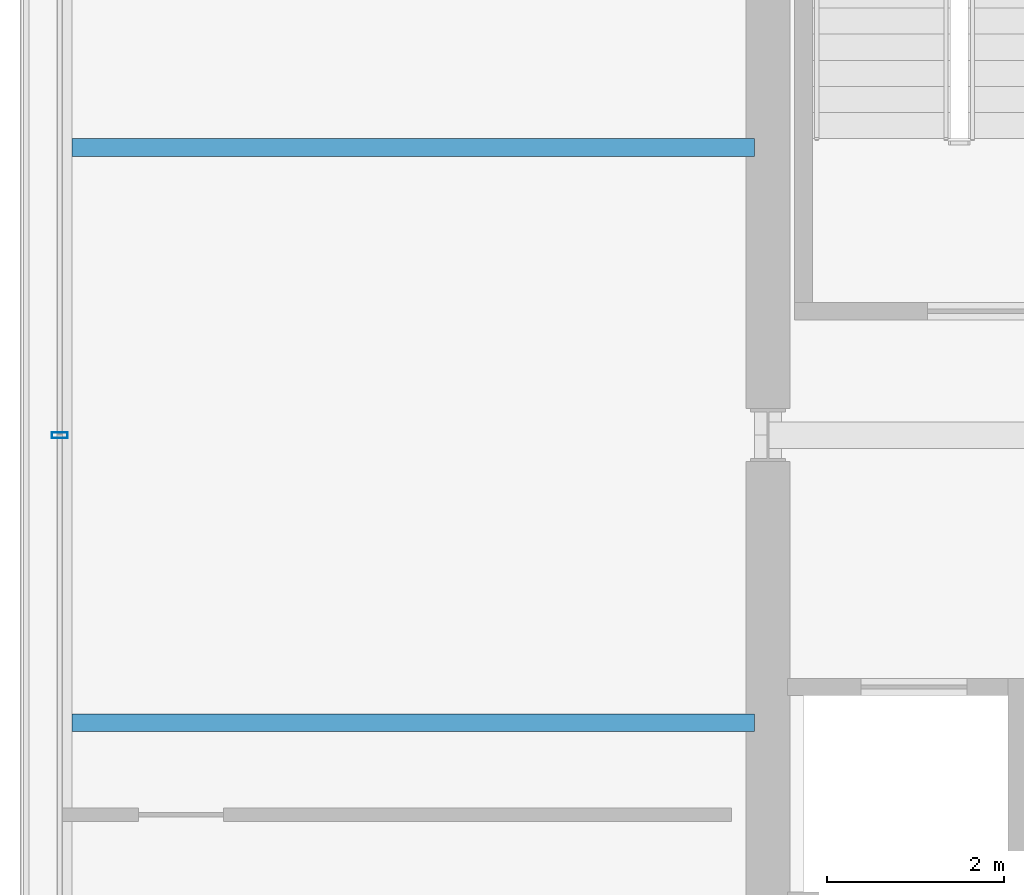
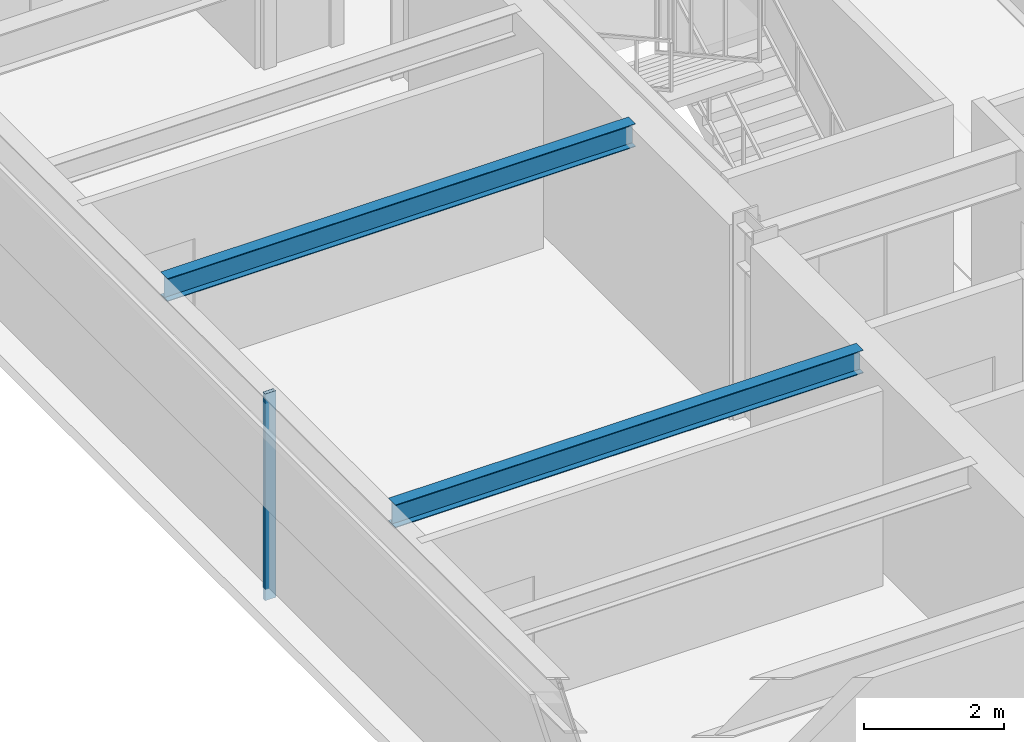
# One storey, part 8 of 29: 2 beams, 1 member, 1 element without a shape of its own.
"""IFC4 building model written with IfcOpenShell, lengths in metres."""

from ifc_helpers import new_model, si_unit, direction, frame, origin, origin_2d, place, context, subcontext, project, spatial, hollow_rectangle, i_section, extrude, material, layer, layer_set, material_profile, profile_set, type_object, element, aggregate, save


model = new_model("IFC4")

# Units and contexts
model_context = context("Model", 3, precision=1e-05, world=origin(), true_north=direction((0.0, 1.0)))
body_context = subcontext(model_context, "Body", "Model", "MODEL_VIEW")
ifc_project = project(units=[si_unit("LENGTHUNIT", "METRE"), si_unit("AREAUNIT", "SQUARE_METRE"), si_unit("VOLUMEUNIT", "CUBIC_METRE"), si_unit("PLANEANGLEUNIT", "RADIAN"), si_unit("MASSUNIT", "GRAM", prefix="KILO")], contexts=[model_context])

# Site, building, storey
site_placement = place(None, origin())
site = spatial("IfcSite", under=ifc_project, at=site_placement, CompositionType="ELEMENT")
building_placement = place(site_placement, origin())
building = spatial("IfcBuilding", under=site, at=building_placement, Name="Brelmoor Portico Tower", CompositionType="ELEMENT")
storey_placement = place(building_placement, frame((0.0, 0.0, 138.60009765625)))
storey = spatial("IfcBuildingStorey", under=building, at=storey_placement, Name="L36", CompositionType="ELEMENT", Elevation=138.60009765625)

# Beams
ifc_material_1 = material(Name="Steel Q355B", Category="steel")
ifc_material_profile_1 = material_profile(ifc_material_1, i_section(OverallWidth=0.199951171875, OverallDepth=0.39990234375, WebThickness=0.008056640625, FlangeThickness=0.012939453125, at=origin_2d()), Name="HN 400x200x8x13")
ifc_profile_set_1 = profile_set([ifc_material_profile_1], Name="Steel Q355B")
beam_type = type_object("IfcBeamType", Name="BM-JS-400", PredefinedType="JOIST", material=ifc_profile_set_1)
for number, where, z_axis, x_axis, name in (
    (1, (-22.409912109375, -3.25, 3.199951171875), (1.0, 0.0, 0.0), (0.0, 1.0, 0.0), "L36 Secondary Wing Joist JS-W06"),
    (2, (-22.409912109375, 3.25, 3.199951171875), (1.0, 0.0, 0.0), (0.0, 1.0, 0.0), "L36 Secondary Wing Joist JS-W07"),
):
    element("IfcBeam", number, at=place(storey_placement, frame(where, z_axis=z_axis, x_axis=x_axis)), inside=storey, type_object=beam_type, Name=name, PredefinedType="JOIST", context=body_context, shape_type="SweptSolid", body=[
        extrude(i_section(OverallWidth=0.199951171875, OverallDepth=0.39990234375, WebThickness=0.008056640625, FlangeThickness=0.012939453125, at=origin_2d()), origin(), (0.0, 0.0, 1.0), 7.7099609375),
    ])

# Curtain wall, member
ifc_material_2 = material(Name="Anodised Aluminium Alloy 6063-T6", Category="aluminium")
ifc_layer = layer(ifc_material_2, 0.179931640625)
ifc_layer_set = layer_set([ifc_layer], Name="Anodised Aluminium Alloy 6063-T6")
curtain_wall_type = type_object("IfcCurtainWallType", Name="CW-TOWER-Z2-XB", PredefinedType="NOTDEFINED", material=ifc_layer_set)
curtain_wall_placement = place(storey_placement, origin())
curtain_wall = element("IfcCurtainWall", 3, at=curtain_wall_placement, inside=storey, type_object=curtain_wall_type, Name="L36 Curtain Wall CW-L36-03-2", PredefinedType="NOTDEFINED")
ifc_material_profile_2 = material_profile(ifc_material_2, hollow_rectangle(XDim=0.06494140625, YDim=0.179931640625, WallThickness=0.00390625, at=origin_2d()), Name="ALU MULLION 65x180")
ifc_profile_set_2 = profile_set([ifc_material_profile_2], Name="Anodised Aluminium Alloy 6063-T6")
member_type = type_object("IfcMemberType", Name="MB-CW-MULL-180", PredefinedType="MULLION", material=ifc_profile_set_2)
member_placement = place(storey_placement, frame((-22.550048828125, 0.0, -0.2001953125), z_axis=(0.0, 0.0, 1.0), x_axis=(0.0, 1.0, 0.0)))
member = element("IfcMember", 4, at=member_placement, type_object=member_type, Name="CW-L36-03-2 Mullion 01", PredefinedType="MULLION", context=body_context, shape_type="SweptSolid", body=[
    extrude(hollow_rectangle(XDim=0.06494140625, YDim=0.179931640625, WallThickness=0.00390625, at=origin_2d()), origin(), (0.0, 0.0, 1.0), 3.60009765625),
])
aggregate(curtain_wall, [member])

save(model, "model.ifc")
